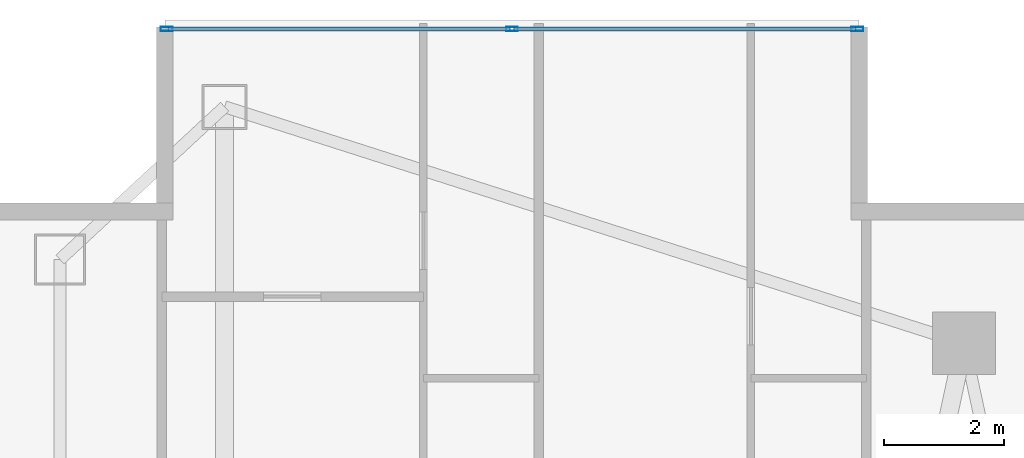
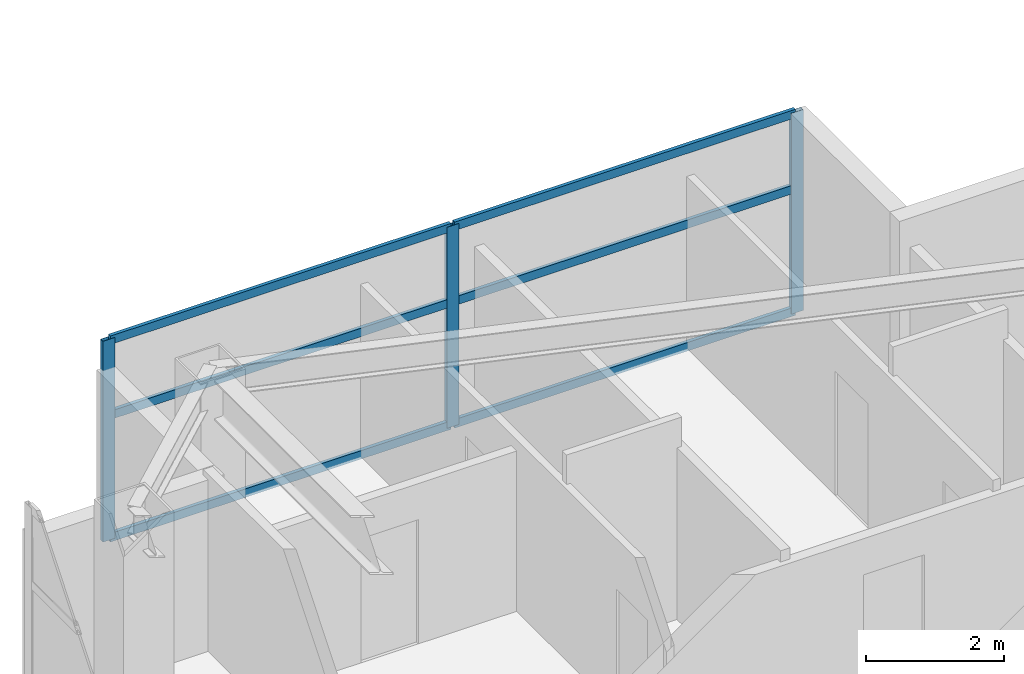
# One storey, part 19 of 29: 9 members, 1 element without a shape of its own.
"""IFC4 building model written with IfcOpenShell, lengths in metres."""

from ifc_helpers import new_model, si_unit, direction, frame, origin, origin_2d, place, context, subcontext, project, spatial, hollow_rectangle, extrude, material, layer, layer_set, material_profile, profile_set, type_object, element, aggregate, save


model = new_model("IFC4")

# Units and contexts
model_context = context("Model", 3, precision=1e-05, world=origin(), true_north=direction((0.0, 1.0)))
body_context = subcontext(model_context, "Body", "Model", "MODEL_VIEW")
ifc_project = project(units=[si_unit("LENGTHUNIT", "METRE"), si_unit("AREAUNIT", "SQUARE_METRE"), si_unit("VOLUMEUNIT", "CUBIC_METRE"), si_unit("PLANEANGLEUNIT", "RADIAN"), si_unit("MASSUNIT", "GRAM", prefix="KILO")], contexts=[model_context])

# Site, building, storey
site_placement = place(None, origin())
site = spatial("IfcSite", under=ifc_project, at=site_placement, CompositionType="ELEMENT")
building_placement = place(site_placement, origin())
building = spatial("IfcBuilding", under=site, at=building_placement, Name="Calvorn Quay Hotel", CompositionType="ELEMENT")
storey_placement = place(building_placement, frame((0.0, 0.0, 124.0)))
storey = spatial("IfcBuildingStorey", under=building, at=storey_placement, Name="L30", CompositionType="ELEMENT", Elevation=124.0)

# Curtain wall, members
ifc_material_1 = material(Name="Pale Anodised Aluminium and Low-E Glass", Category="aluminium")
ifc_layer = layer(ifc_material_1, 0.219970703125)
ifc_layer_set = layer_set([ifc_layer], Name="CW-SYS-Z2")
curtain_wall_type = type_object("IfcCurtainWallType", Name="CW-SYS-Z2", PredefinedType="NOTDEFINED", material=ifc_layer_set)
curtain_wall_placement = place(storey_placement, origin())
curtain_wall = element("IfcCurtainWall", 1, at=curtain_wall_placement, inside=storey, type_object=curtain_wall_type, Name="Inner Court Curtain Wall L30-N1", PredefinedType="NOTDEFINED")
ifc_material_2 = material(Name="Pale Anodised Aluminium 6063-T6", Category="aluminium")
ifc_material_profile_1 = material_profile(ifc_material_2, hollow_rectangle(XDim=0.070068359375, YDim=0.199951171875, WallThickness=0.00390625, at=origin_2d()), Name="ALU-M200x70x4")
ifc_profile_set_1 = profile_set([ifc_material_profile_1], Name="Pale Anodised Aluminium 6063-T6")
member_type_1 = type_object("IfcMemberType", Name="CW-SYS-Z2-MUL", PredefinedType="MULLION", material=ifc_profile_set_1)
member_1_placement = place(storey_placement, frame((14.77001953125, 50.85009765625, 0.0), z_axis=(0.0, 0.0, 1.0), x_axis=(0.0, -1.0, 0.0)))
member_1 = element("IfcMember", 2, at=member_1_placement, type_object=member_type_1, Name="CW-L30-N1 mullion 1", PredefinedType="MULLION", context=body_context, shape_type="SweptSolid", body=[
    extrude(hollow_rectangle(XDim=0.070068359375, YDim=0.199951171875, WallThickness=0.00390625, at=origin_2d()), origin(), (0.0, 0.0, 1.0), 3.56005859375),
])
member_2_placement = place(storey_placement, frame((9.0, 50.85009765625, 0.0), z_axis=(0.0, 0.0, 1.0), x_axis=(0.0, -1.0, 0.0)))
member_2 = element("IfcMember", 3, at=member_2_placement, type_object=member_type_1, Name="CW-L30-N1 mullion 2", PredefinedType="MULLION", context=body_context, shape_type="SweptSolid", body=[
    extrude(hollow_rectangle(XDim=0.070068359375, YDim=0.199951171875, WallThickness=0.00390625, at=origin_2d()), origin(), (0.0, 0.0, 1.0), 3.56005859375),
])
member_3_placement = place(storey_placement, frame((3.22998046875, 50.85009765625, 0.0), z_axis=(0.0, 0.0, 1.0), x_axis=(0.0, -1.0, 0.0)))
member_3 = element("IfcMember", 4, at=member_3_placement, type_object=member_type_1, Name="CW-L30-N1 mullion 3", PredefinedType="MULLION", context=body_context, shape_type="SweptSolid", body=[
    extrude(hollow_rectangle(XDim=0.070068359375, YDim=0.199951171875, WallThickness=0.00390625, at=origin_2d()), origin(), (0.0, 0.0, 1.0), 3.56005859375),
])
ifc_material_3 = material(Name="Pale Anodised Aluminium 6063-T6", Category="aluminium")
ifc_material_profile_2 = material_profile(ifc_material_3, hollow_rectangle(XDim=0.06005859375, YDim=0.14990234375, WallThickness=0.00341796875, at=origin_2d()), Name="ALU-T150x60x3.5")
ifc_profile_set_2 = profile_set([ifc_material_profile_2], Name="Pale Anodised Aluminium 6063-T6")
member_type_2 = type_object("IfcMemberType", Name="CW-SYS-Z2-TRN", PredefinedType="USERDEFINED", material=ifc_profile_set_2)
member_4_placement = place(storey_placement, frame((14.739990234375, 50.85009765625, 0.030029296875), z_axis=(-1.0, 0.0, 0.0), x_axis=(0.0, -1.0, 0.0)))
member_4 = element("IfcMember", 5, at=member_4_placement, type_object=member_type_2, Name="CW-L30-N1 transom 1.1", ObjectType="TRANSOM", PredefinedType="USERDEFINED", context=body_context, shape_type="SweptSolid", body=[
    extrude(hollow_rectangle(XDim=0.06005859375, YDim=0.14990234375, WallThickness=0.00341796875, at=origin_2d()), origin(), (0.0, 0.0, 1.0), 5.7099609375),
])
member_5_placement = place(storey_placement, frame((14.739990234375, 50.85009765625, 2.199951171875), z_axis=(-1.0, 0.0, 0.0), x_axis=(0.0, -1.0, 0.0)))
member_5 = element("IfcMember", 6, at=member_5_placement, type_object=member_type_2, Name="CW-L30-N1 transom 1.2", ObjectType="TRANSOM", PredefinedType="USERDEFINED", context=body_context, shape_type="SweptSolid", body=[
    extrude(hollow_rectangle(XDim=0.06005859375, YDim=0.14990234375, WallThickness=0.00341796875, at=origin_2d()), origin(), (0.0, 0.0, 1.0), 5.7099609375),
])
member_6_placement = place(storey_placement, frame((14.739990234375, 50.85009765625, 3.530029296875), z_axis=(-1.0, 0.0, 0.0), x_axis=(0.0, -1.0, 0.0)))
member_6 = element("IfcMember", 7, at=member_6_placement, type_object=member_type_2, Name="CW-L30-N1 transom 1.3", ObjectType="TRANSOM", PredefinedType="USERDEFINED", context=body_context, shape_type="SweptSolid", body=[
    extrude(hollow_rectangle(XDim=0.06005859375, YDim=0.14990234375, WallThickness=0.00341796875, at=origin_2d()), origin(), (0.0, 0.0, 1.0), 5.7099609375),
])
member_7_placement = place(storey_placement, frame((8.969970703125, 50.85009765625, 0.030029296875), z_axis=(-1.0, 0.0, 0.0), x_axis=(0.0, -1.0, 0.0)))
member_7 = element("IfcMember", 8, at=member_7_placement, type_object=member_type_2, Name="CW-L30-N1 transom 2.1", ObjectType="TRANSOM", PredefinedType="USERDEFINED", context=body_context, shape_type="SweptSolid", body=[
    extrude(hollow_rectangle(XDim=0.06005859375, YDim=0.14990234375, WallThickness=0.00341796875, at=origin_2d()), origin(), (0.0, 0.0, 1.0), 5.7099609375),
])
member_8_placement = place(storey_placement, frame((8.969970703125, 50.85009765625, 2.199951171875), z_axis=(-1.0, 0.0, 0.0), x_axis=(0.0, -1.0, 0.0)))
member_8 = element("IfcMember", 9, at=member_8_placement, type_object=member_type_2, Name="CW-L30-N1 transom 2.2", ObjectType="TRANSOM", PredefinedType="USERDEFINED", context=body_context, shape_type="SweptSolid", body=[
    extrude(hollow_rectangle(XDim=0.06005859375, YDim=0.14990234375, WallThickness=0.00341796875, at=origin_2d()), origin(), (0.0, 0.0, 1.0), 5.7099609375),
])
member_9_placement = place(storey_placement, frame((8.969970703125, 50.85009765625, 3.530029296875), z_axis=(-1.0, 0.0, 0.0), x_axis=(0.0, -1.0, 0.0)))
member_9 = element("IfcMember", 10, at=member_9_placement, type_object=member_type_2, Name="CW-L30-N1 transom 2.3", ObjectType="TRANSOM", PredefinedType="USERDEFINED", context=body_context, shape_type="SweptSolid", body=[
    extrude(hollow_rectangle(XDim=0.06005859375, YDim=0.14990234375, WallThickness=0.00341796875, at=origin_2d()), origin(), (0.0, 0.0, 1.0), 5.7099609375),
])
aggregate(curtain_wall, [member_1, member_2, member_3, member_4, member_5, member_6, member_7, member_8, member_9])

save(model, "model.ifc")
